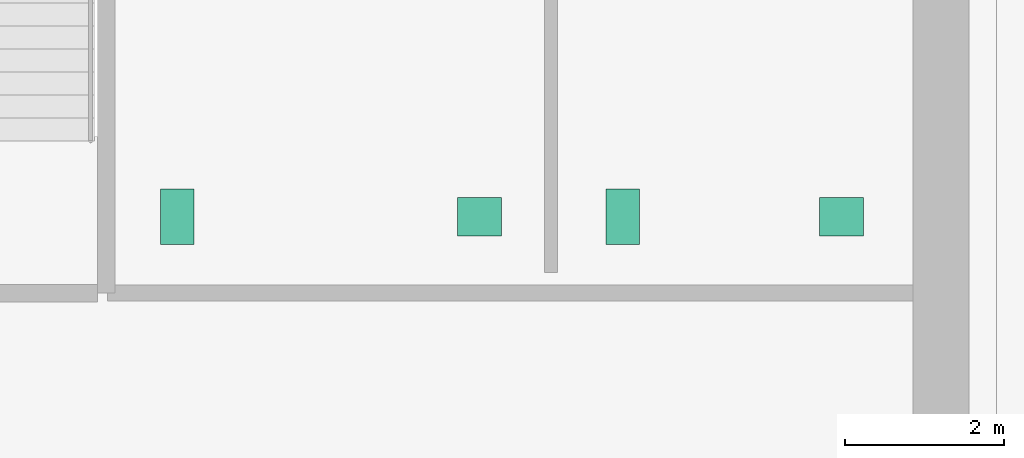
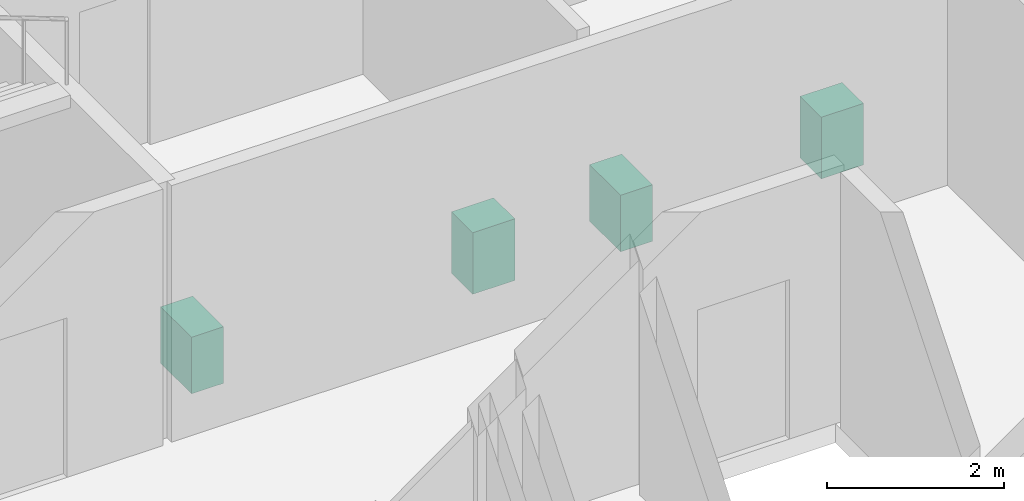
# One storey, part 11 of 11: 4 sanitary terminals.
"""IFC4 building model written with IfcOpenShell, lengths in metres."""

from ifc_helpers import new_model, si_unit, direction, frame, origin, origin_2d, place, context, subcontext, project, spatial, rectangle, extrude, material, type_object, element, save


model = new_model("IFC4")

# Units and contexts
model_context = context("Model", 3, precision=1e-05, world=origin(), true_north=direction((0.0, 1.0)))
body_context = subcontext(model_context, "Body", "Model", "MODEL_VIEW")
ifc_project = project(units=[si_unit("LENGTHUNIT", "METRE"), si_unit("AREAUNIT", "SQUARE_METRE"), si_unit("VOLUMEUNIT", "CUBIC_METRE"), si_unit("PLANEANGLEUNIT", "RADIAN"), si_unit("MASSUNIT", "GRAM", prefix="KILO")], contexts=[model_context])

# Site, building, storey
site_placement = place(None, origin())
site = spatial("IfcSite", under=ifc_project, at=site_placement, CompositionType="ELEMENT")
building_placement = place(site_placement, origin())
building = spatial("IfcBuilding", under=site, at=building_placement, Name="Norrvale University Quadrangle", CompositionType="ELEMENT")
storey_placement = place(building_placement, frame((0.0, 0.0, 206.60009765625)))
storey = spatial("IfcBuildingStorey", under=building, at=storey_placement, Name="L52", CompositionType="ELEMENT", Elevation=206.60009765625)

# Sanitary terminals
ifc_material = material(Name="Vitreous China Sanitaryware")
sanitary_terminal_type_1 = type_object("IfcSanitaryTerminalType", Name="Sanitary Wash Basin", PredefinedType="WASHHANDBASIN", material=ifc_material)
for number, where, z_axis, x_axis, name in (
    (1, (11.0, 41.10009765625, -0.000244140625), (0.0, 0.0, 1.0), (1.0, 0.0, 0.0), "Accessible Countertop Washbasin L52-1"),
    (2, (15.550048828125, 41.10009765625, -0.000244140625), (0.0, 0.0, 1.0), (1.0, 0.0, 0.0), "Accessible Countertop Washbasin L52-2"),
):
    element("IfcSanitaryTerminal", number, at=place(storey_placement, frame(where, z_axis=z_axis, x_axis=x_axis)), inside=storey, type_object=sanitary_terminal_type_1, Name=name, PredefinedType="WASHHANDBASIN", context=body_context, shape_type="SweptSolid", body=[
        extrude(rectangle(XDim=0.550048828125, YDim=0.47998046875, at=origin_2d()), origin(), (0.0, 0.0, 1.0), 0.85009765625),
    ])
sanitary_terminal_type_2 = type_object("IfcSanitaryTerminalType", Name="Sanitary Water Closet", PredefinedType="TOILETPAN", material=ifc_material)
for number, where, z_axis, x_axis, name in (
    (3, (7.199951171875, 41.10009765625, 0.0), (0.0, 0.0, 1.0), (1.0, 0.0, 0.0), "Wall-Hung Water Closet L52-1"),
    (4, (12.800048828125, 41.10009765625, 0.0), (0.0, 0.0, 1.0), (1.0, 0.0, 0.0), "Wall-Hung Water Closet L52-2"),
):
    element("IfcSanitaryTerminal", number, at=place(storey_placement, frame(where, z_axis=z_axis, x_axis=x_axis)), inside=storey, type_object=sanitary_terminal_type_2, Name=name, PredefinedType="TOILETPAN", context=body_context, shape_type="SweptSolid", body=[
        extrude(rectangle(XDim=0.419921875, YDim=0.699951171875, at=origin_2d()), origin(), (0.0, 0.0, 1.0), 0.780029296875),
    ])

save(model, "model.ifc")
